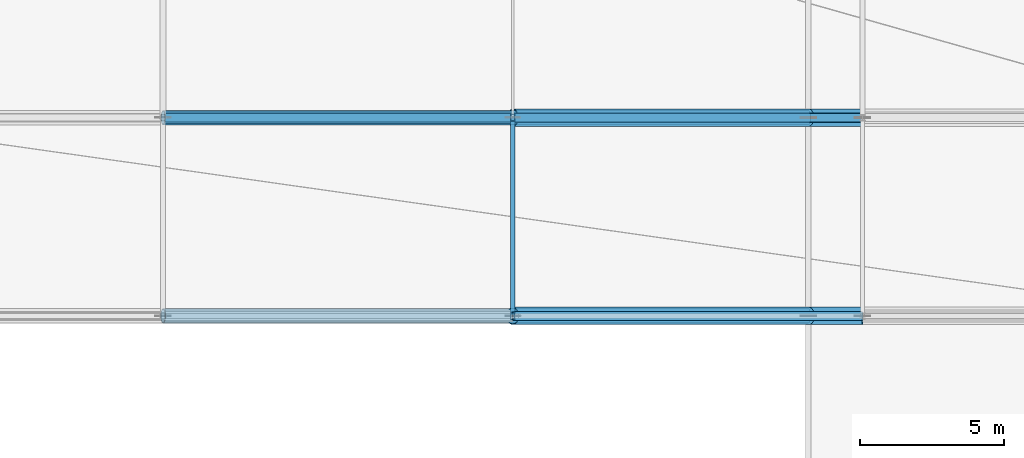
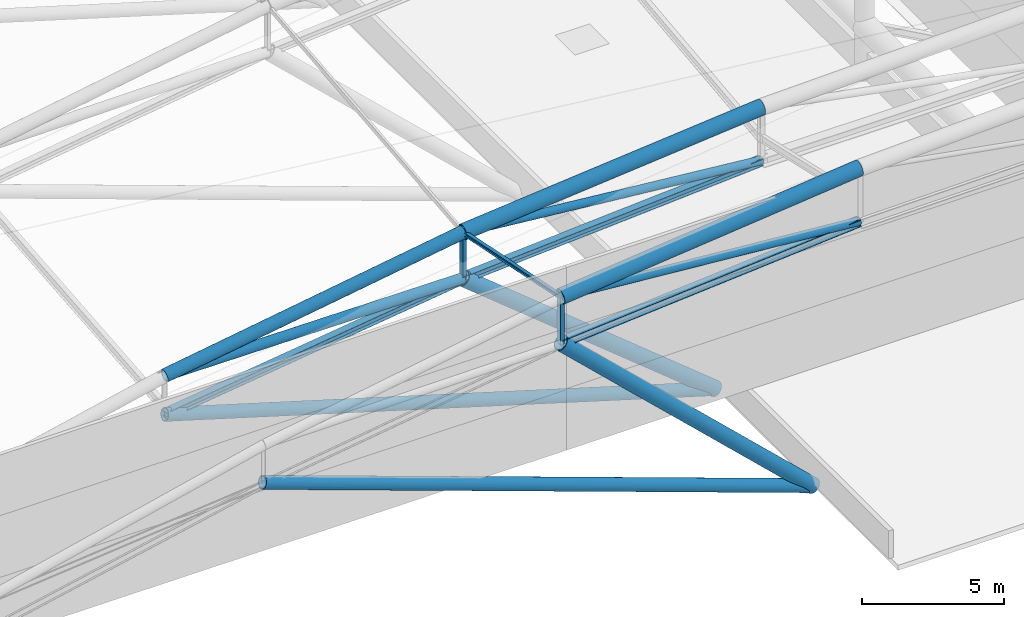
# One storey, part 32 of 113: 16 members.
"""IFC4 building model written with IfcOpenShell, lengths in metres."""

from ifc_helpers import new_model, si_unit, direction, frame, origin, origin_2d, place, context, subcontext, project, spatial, hollow_rectangle, hollow_circle, i_section, extrude, material, material_profile, profile_set, type_object, element, save


model = new_model("IFC4")

# Units and contexts
model_context = context("Model", 3, precision=1e-05, world=origin(), true_north=direction((0.0, 1.0)))
body_context = subcontext(model_context, "Body", "Model", "MODEL_VIEW")
ifc_project = project(units=[si_unit("LENGTHUNIT", "METRE"), si_unit("AREAUNIT", "SQUARE_METRE"), si_unit("VOLUMEUNIT", "CUBIC_METRE"), si_unit("PLANEANGLEUNIT", "RADIAN"), si_unit("MASSUNIT", "GRAM", prefix="KILO")], contexts=[model_context])

# Site, building, storey
site_placement = place(None, origin())
site = spatial("IfcSite", under=ifc_project, at=site_placement, CompositionType="ELEMENT")
building_placement = place(site_placement, origin())
building = spatial("IfcBuilding", under=site, at=building_placement, Name="Linyun Crest Stadium", CompositionType="ELEMENT")
storey_placement = place(building_placement, frame((0.0, 0.0, 26.39990234375)))
storey = spatial("IfcBuildingStorey", under=building, at=storey_placement, Name="L06", CompositionType="ELEMENT", Elevation=26.39990234375)

# Members
ifc_material_1 = material(Name="Steel Q355C", Category="steel")
ifc_material_profile_1 = material_profile(ifc_material_1, i_section(OverallWidth=0.14990234375, OverallDepth=0.14990234375, WebThickness=0.007080078125, FlangeThickness=0.010009765625, at=origin_2d()), Name="HW 150x150")
ifc_profile_set_1 = profile_set([ifc_material_profile_1], Name="Steel Q355C")
member_type_1 = type_object("IfcMemberType", Name="AR01", PredefinedType="USERDEFINED", material=ifc_profile_set_1)
member_1_placement = place(storey_placement, frame((59.75, -46.0, 11.502197265625), z_axis=(0.0, 0.979803641415, -0.199962057074), x_axis=(-1.0, 0.0, 0.0)))
element("IfcMember", 1, at=member_1_placement, inside=storey, type_object=member_type_1, Name="Art Nouveau canopy arch rib AR01 V2 336", ObjectType="ARCH RIB", PredefinedType="USERDEFINED", context=body_context, shape_type="SweptSolid", body=[
    extrude(i_section(OverallWidth=0.14990234375, OverallDepth=0.14990234375, WebThickness=0.007080078125, FlangeThickness=0.010009765625, at=origin_2d()), origin(), (0.0, 0.0, 1.0), 7.0166015625),
])
ifc_material_2 = material(Name="Steel Q420C", Category="steel")
ifc_material_profile_2 = material_profile(ifc_material_2, hollow_circle(Radius=0.25390625, WallThickness=0.02490234375, at=origin_2d()), Name="CHS 508x25")
ifc_profile_set_2 = profile_set([ifc_material_profile_2], Name="Steel Q420C")
member_type_2 = type_object("IfcMemberType", Name="TC01", PredefinedType="CHORD", material=ifc_profile_set_2)
member_2_placement = place(storey_placement, frame((70.0, -46.0, -0.21484375), z_axis=(-0.941915713226, 0.0, 0.335849354888), x_axis=(0.0, -1.0, 0.0)))
element("IfcMember", 2, at=member_2_placement, inside=storey, type_object=member_type_2, Name="Roof arch forward V-strut TC01 V2 199", PredefinedType="CHORD", context=body_context, shape_type="SweptSolid", body=[
    extrude(hollow_circle(Radius=0.25390625, WallThickness=0.02490234375, at=origin_2d()), origin(), (0.0, 0.0, 1.0), 23.7548828125),
])
member_3_placement = place(storey_placement, frame((59.75, -39.125, 10.09912109375), z_axis=(-0.987629907488, 0.0, -0.15680295225), x_axis=(0.0, -1.0, 0.0)))
element("IfcMember", 3, at=member_3_placement, inside=storey, type_object=member_type_2, Name="Roof truss top chord TC01 V2 209", PredefinedType="CHORD", context=body_context, shape_type="SweptSolid", body=[
    extrude(hollow_circle(Radius=0.25390625, WallThickness=0.02490234375, at=origin_2d()), origin(), (0.0, 0.0, 1.0), 12.27685546875),
])
member_4_placement = place(storey_placement, frame((70.0, -39.125, -0.21484375), z_axis=(-0.957680635582, 0.0, 0.287832938058), x_axis=(0.0, -1.0, 0.0)))
element("IfcMember", 4, at=member_4_placement, inside=storey, type_object=member_type_2, Name="Roof arch forward V-strut TC01 V2 218", PredefinedType="CHORD", context=body_context, shape_type="SweptSolid", body=[
    extrude(hollow_circle(Radius=0.25390625, WallThickness=0.02490234375, at=origin_2d()), origin(), (0.0, 0.0, 1.0), 23.36376953125),
])
ifc_material_3 = material(Name="Steel Q420C", Category="steel")
ifc_material_profile_3 = material_profile(ifc_material_3, hollow_circle(Radius=0.304931640625, WallThickness=0.030029296875, at=origin_2d()), Name="CHS 610x30")
ifc_profile_set_3 = profile_set([ifc_material_profile_3], Name="Steel Q420C")
member_type_3 = type_object("IfcMemberType", Name="TC02", PredefinedType="CHORD", material=ifc_profile_set_3)
member_5_placement = place(storey_placement, frame((71.875, -46.0, 12.776123046875), z_axis=(-0.99452584315, 0.0, -0.104490895811), x_axis=(0.0, -1.0, 0.0)))
element("IfcMember", 5, at=member_5_placement, inside=storey, type_object=member_type_3, Name="Roof truss top chord TC02 V2 186", PredefinedType="CHORD", context=body_context, shape_type="SweptSolid", body=[
    extrude(hollow_circle(Radius=0.304931640625, WallThickness=0.030029296875, at=origin_2d()), origin(), (0.0, 0.0, 1.0), 12.191650390625),
])
member_6_placement = place(storey_placement, frame((70.0, -46.0, -0.21484375), z_axis=(-0.724876997796, 0.0, 0.688878318766), x_axis=(0.0, -1.0, 0.0)))
element("IfcMember", 6, at=member_6_placement, inside=storey, type_object=member_type_3, Name="Roof arch inclined support strut TC02 V2 198", PredefinedType="CHORD", context=body_context, shape_type="SweptSolid", body=[
    extrude(hollow_circle(Radius=0.304931640625, WallThickness=0.030029296875, at=origin_2d()), origin(), (0.0, 0.0, 1.0), 14.140380859375),
])
member_7_placement = place(storey_placement, frame((71.875, -39.125, 11.22509765625), z_axis=(-0.995715823804, 0.0, -0.092466200455), x_axis=(0.0, -1.0, 0.0)))
element("IfcMember", 7, at=member_7_placement, inside=storey, type_object=member_type_3, Name="Roof truss top chord TC02 V2 205", PredefinedType="CHORD", context=body_context, shape_type="SweptSolid", body=[
    extrude(hollow_circle(Radius=0.304931640625, WallThickness=0.030029296875, at=origin_2d()), origin(), (0.0, 0.0, 1.0), 12.17724609375),
])
member_8_placement = place(storey_placement, frame((70.0, -39.125, -0.21484375), z_axis=(-0.775752151556, 0.0, 0.631037716271), x_axis=(0.0, -1.0, 0.0)))
element("IfcMember", 8, at=member_8_placement, inside=storey, type_object=member_type_3, Name="Roof arch inclined support strut TC02 V2 217", PredefinedType="CHORD", context=body_context, shape_type="SweptSolid", body=[
    extrude(hollow_circle(Radius=0.304931640625, WallThickness=0.030029296875, at=origin_2d()), origin(), (0.0, 0.0, 1.0), 13.212890625),
])
ifc_material_4 = material(Name="Steel Q355C", Category="steel")
ifc_material_profile_4 = material_profile(ifc_material_4, i_section(OverallWidth=0.300048828125, OverallDepth=0.300048828125, WebThickness=0.010009765625, FlangeThickness=0.014892578125, at=origin_2d()), Name="HW 300x300")
ifc_profile_set_4 = profile_set([ifc_material_profile_4], Name="Steel Q355C")
member_type_4 = type_object("IfcMemberType", Name="TC03", PredefinedType="CHORD", material=ifc_profile_set_4)
member_9_placement = place(storey_placement, frame((71.875, -46.0, 10.488037109375), z_axis=(-0.996867904873, 0.0, -0.079084639683), x_axis=(0.0, -1.0, 0.0)))
element("IfcMember", 9, at=member_9_placement, inside=storey, type_object=member_type_4, Name="Roof truss bottom chord TC03 V2 187", PredefinedType="CHORD", context=body_context, shape_type="SweptSolid", body=[
    extrude(i_section(OverallWidth=0.300048828125, OverallDepth=0.300048828125, WebThickness=0.010009765625, FlangeThickness=0.014892578125, at=origin_2d()), origin(), (0.0, 0.0, 1.0), 12.1630859375),
])
member_10_placement = place(storey_placement, frame((71.875, -39.125, 8.93701171875), z_axis=(-0.997754293797, 0.0, -0.066980364359), x_axis=(0.0, -1.0, 0.0)))
element("IfcMember", 10, at=member_10_placement, inside=storey, type_object=member_type_4, Name="Roof truss bottom chord TC03 V2 206", PredefinedType="CHORD", context=body_context, shape_type="SweptSolid", body=[
    extrude(i_section(OverallWidth=0.300048828125, OverallDepth=0.300048828125, WebThickness=0.010009765625, FlangeThickness=0.014892578125, at=origin_2d()), origin(), (0.0, 0.0, 1.0), 12.15234375),
])
member_11_placement = place(storey_placement, frame((59.75, -39.125, 8.123046875), z_axis=(-0.99126673082, 0.0, -0.131872166771), x_axis=(0.0, -1.0, 0.0)))
element("IfcMember", 11, at=member_11_placement, inside=storey, type_object=member_type_4, Name="Roof truss bottom chord TC03 V2 210", PredefinedType="CHORD", context=body_context, shape_type="SweptSolid", body=[
    extrude(i_section(OverallWidth=0.300048828125, OverallDepth=0.300048828125, WebThickness=0.010009765625, FlangeThickness=0.014892578125, at=origin_2d()), origin(), (0.0, 0.0, 1.0), 12.23193359375),
])
ifc_material_5 = material(Name="Steel Q355C", Category="steel")
ifc_material_profile_5 = material_profile(ifc_material_5, hollow_circle(Radius=0.16259765625, WallThickness=0.01611328125, at=origin_2d()), Name="CHS 325x16")
ifc_profile_set_5 = profile_set([ifc_material_profile_5], Name="Steel Q355C")
member_type_5 = type_object("IfcMemberType", Name="TD02", PredefinedType="BRACE", material=ifc_profile_set_5)
member_12_placement = place(storey_placement, frame((71.875, -46.0, 10.488037109375), z_axis=(-0.996520249302, 0.0, 0.083351021174), x_axis=(0.0, -1.0, 0.0)))
element("IfcMember", 12, at=member_12_placement, inside=storey, type_object=member_type_5, Name="Roof truss diagonal TD02 V2 188", PredefinedType="BRACE", context=body_context, shape_type="SweptSolid", body=[
    extrude(hollow_circle(Radius=0.16259765625, WallThickness=0.01611328125, at=origin_2d()), origin(), (0.0, 0.0, 1.0), 12.167236328125),
])
member_13_placement = place(storey_placement, frame((71.875, -39.125, 8.93701171875), z_axis=(-0.995438360676, 0.0, 0.095406866076), x_axis=(0.0, -1.0, 0.0)))
element("IfcMember", 13, at=member_13_placement, inside=storey, type_object=member_type_5, Name="Roof truss diagonal TD02 V2 207", PredefinedType="BRACE", context=body_context, shape_type="SweptSolid", body=[
    extrude(hollow_circle(Radius=0.16259765625, WallThickness=0.01611328125, at=origin_2d()), origin(), (0.0, 0.0, 1.0), 12.1806640625),
])
ifc_material_6 = material(Name="Steel Q420C", Category="steel")
ifc_material_profile_6 = material_profile(ifc_material_6, hollow_circle(Radius=0.202880859375, WallThickness=0.02001953125, at=origin_2d()), Name="CHS 406x20")
ifc_profile_set_6 = profile_set([ifc_material_profile_6], Name="Steel Q420C")
member_type_6 = type_object("IfcMemberType", Name="TD03", PredefinedType="BRACE", material=ifc_profile_set_6)
member_14_placement = place(storey_placement, frame((59.75, -39.125, 8.123046875), z_axis=(-0.999991145309, 0.0, 0.004208242376), x_axis=(0.0, -1.0, 0.0)))
element("IfcMember", 14, at=member_14_placement, inside=storey, type_object=member_type_6, Name="Roof truss diagonal TD03 V2 211", PredefinedType="BRACE", context=body_context, shape_type="SweptSolid", body=[
    extrude(hollow_circle(Radius=0.202880859375, WallThickness=0.02001953125, at=origin_2d()), origin(), (0.0, 0.0, 1.0), 12.125),
])
ifc_material_7 = material(Name="Steel Q355C", Category="steel")
ifc_material_profile_7 = material_profile(ifc_material_7, hollow_rectangle(XDim=0.14990234375, YDim=0.25, WallThickness=0.010009765625, at=origin_2d()), Name="RHS 250x150x10")
ifc_profile_set_7 = profile_set([ifc_material_profile_7], Name="Steel Q355C")
member_type_7 = type_object("IfcMemberType", Name="TV03", PredefinedType="STRUT", material=ifc_profile_set_7)
for number, where, z_axis, x_axis, name in (
    (15, (59.75, -46.0, 9.526123046875), (0.0, 0.0, 1.0), (1.0, 0.0, 0.0), "Roof vertical strut TV03 V2 193"),
    (16, (59.75, -39.125, 8.123046875), (0.0, 0.0, 1.0), (1.0, 0.0, 0.0), "Roof vertical strut TV03 V2 212"),
):
    element("IfcMember", number, at=place(storey_placement, frame(where, z_axis=z_axis, x_axis=x_axis)), inside=storey, type_object=member_type_7, Name=name, PredefinedType="STRUT", context=body_context, shape_type="SweptSolid", body=[
        extrude(hollow_rectangle(XDim=0.14990234375, YDim=0.25, WallThickness=0.010009765625, at=origin_2d()), origin(), (0.0, 0.0, 1.0), 1.97607421875),
    ])

save(model, "model.ifc")
